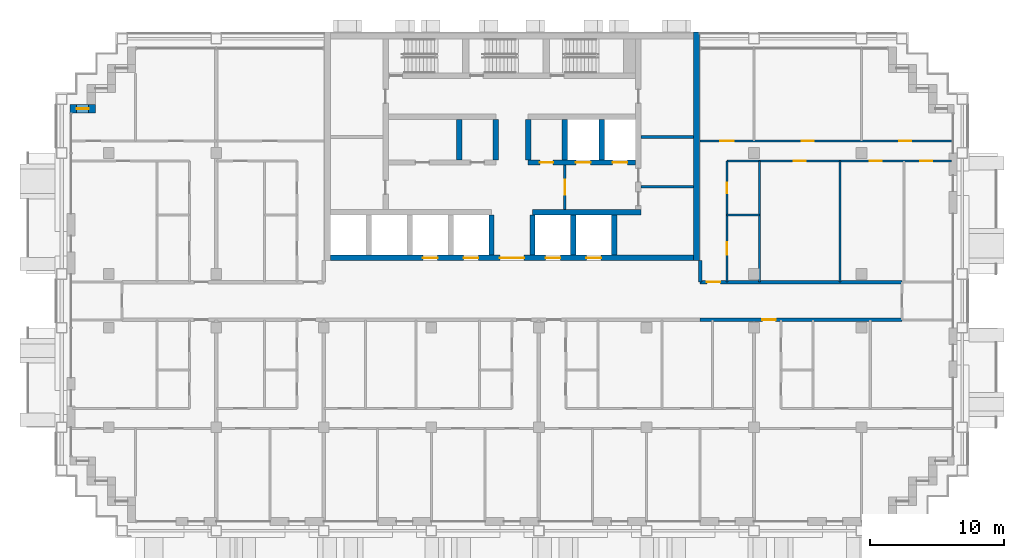
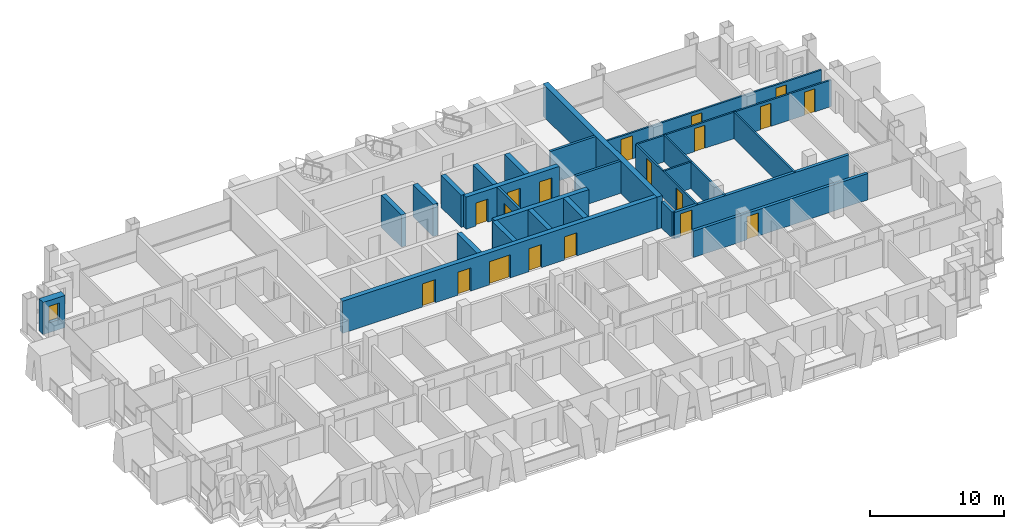
# One storey, part 11 of 18: 26 walls, 19 doors, 1 window, 20 openings.
"""IFC4 building model written with IfcOpenShell, lengths in metres."""

from ifc_helpers import new_model, si_unit, direction, frame, frame_2d, origin, place, context, subcontext, project, spatial, rectangle, extrude, material, layer, layer_set, type_object, element, fill, save


model = new_model("IFC4")

# Units and contexts
model_context = context("Model", 3, precision=1e-05, world=origin(), true_north=direction((0.0, 1.0)))
body_context = subcontext(model_context, "Body", "Model", "MODEL_VIEW")
ifc_project = project(units=[si_unit("LENGTHUNIT", "METRE"), si_unit("AREAUNIT", "SQUARE_METRE"), si_unit("VOLUMEUNIT", "CUBIC_METRE"), si_unit("PLANEANGLEUNIT", "RADIAN"), si_unit("MASSUNIT", "GRAM", prefix="KILO")], contexts=[model_context])

# Site, building, storey
site_placement = place(None, origin())
site = spatial("IfcSite", under=ifc_project, at=site_placement, CompositionType="ELEMENT")
building_placement = place(site_placement, origin())
building = spatial("IfcBuilding", under=site, at=building_placement, Name="Vidyagriha Tower", CompositionType="ELEMENT")
storey_placement = place(building_placement, frame((0.0, 0.0, 126.199951171875)))
storey = spatial("IfcBuildingStorey", under=building, at=storey_placement, Name="L32", CompositionType="ELEMENT", Elevation=126.199951171875)

# Wall, opening, window
ifc_material_1 = material(Name="Precast concrete C40/50 with brick facing", Category="concrete")
ifc_layer_1 = layer(ifc_material_1, 0.60009765625)
ifc_layer_set_1 = layer_set([ifc_layer_1], Name="Precast concrete C40/50 with brick facing")
wall_type_1 = type_object("IfcWallType", Name="Brick-faced precast wall 600", PredefinedType="STANDARD", material=ifc_layer_set_1)
wall_1_placement = place(storey_placement, frame((-31.0, 14.300048828125, 0.0), z_axis=(0.0, 0.0, 1.0), x_axis=(-1.0, 0.0, 0.0)))
wall_1 = element("IfcWall", 1, at=wall_1_placement, inside=storey, type_object=wall_type_1, Name="Stepped corner wall L32 R15", PredefinedType="STANDARD", context=body_context, shape_type="SweptSolid", body=[
    extrude(rectangle(XDim=1.8798828125, YDim=0.60009765625, at=frame_2d((0.93994140625, 0.0))), origin(), (0.0, 0.0, 1.0), 2.920166015625),
])
opening_1_placement = place(wall_1_placement, frame((0.489990234375, 0.0, 0.89990234375)))
opening_1 = element("IfcOpeningElement", 2, at=opening_1_placement, cuts=wall_1, Name="Opening WN1", PredefinedType="OPENING", context=body_context, shape_type="SweptSolid", body=[
    extrude(rectangle(XDim=0.89990234375, YDim=1.5, at=frame_2d((0.449951171875, 0.75))), frame((0.0, 0.31005859375, 0.0), z_axis=(0.0, -1.0, 0.0), x_axis=(1.0, 0.0, 0.0)), (0.0, 0.0, 1.0), 0.6201171875),
])
ifc_material_2 = material(Name="Aluminium and glass window", Category="aluminium")
window_type = type_object("IfcWindowType", Name="Reveal window 900x1500", PartitioningType="NOTDEFINED", PredefinedType="WINDOW", material=ifc_material_2)
window_placement = place(opening_1_placement, origin())
window = element("IfcWindow", 3, at=window_placement, inside=storey, type_object=window_type, Name="Reveal window L32 R15", OverallHeight=1.5, OverallWidth=0.89990234375, PartitioningType="SINGLE_PANEL", PredefinedType="WINDOW", context=body_context, shape_type="SweptSolid", body=[
    extrude(rectangle(XDim=0.89990234375, YDim=1.5, at=frame_2d((0.449951171875, 0.75))), frame((0.0, 0.030029296875, 0.0), z_axis=(0.0, -1.0, 0.0), x_axis=(1.0, 0.0, 0.0)), (0.0, 0.0, 1.0), 0.06005859375),
])
fill(opening_1, window)

# Wall, openings, doors
ifc_material_3 = material(Name="Concrete C60/75", Category="concrete")
ifc_layer_2 = layer(ifc_material_3, 0.39990234375)
ifc_layer_set_2 = layer_set([ifc_layer_2], Name="Concrete C60/75")
wall_type_2 = type_object("IfcWallType", Name="Core shear wall 400 mm", PredefinedType="SHEAR", material=ifc_layer_set_2)
wall_2_placement = place(storey_placement, frame((-13.5, 3.199951171875, 0.0)))
wall_2 = element("IfcWall", 4, at=wall_2_placement, inside=storey, type_object=wall_type_2, Name="Core front wall", PredefinedType="SHEAR", context=body_context, shape_type="SweptSolid", body=[
    extrude(rectangle(XDim=27.0, YDim=0.39990234375, at=frame_2d((13.5, 0.0))), origin(), (0.0, 0.0, 1.0), 2.920166015625),
])
opening_2_placement = place(wall_2_placement, frame((6.861083984375, 0.0, 0.0)))
opening_2 = element("IfcOpeningElement", 5, at=opening_2_placement, cuts=wall_2, Name="Opening LD32-01", PredefinedType="OPENING", context=body_context, shape_type="SweptSolid", body=[
    extrude(rectangle(XDim=1.10009765625, YDim=2.10009765625, at=frame_2d((0.550048828125, 1.050048828125))), frame((0.0, 0.2099609375, 0.0), z_axis=(0.0, -1.0, 0.0), x_axis=(1.0, 0.0, 0.0)), (0.0, 0.0, 1.0), 0.419921875),
])
opening_3_placement = place(wall_2_placement, frame((9.905517578125, 0.0, 0.0)))
opening_3 = element("IfcOpeningElement", 6, at=opening_3_placement, cuts=wall_2, Name="Opening LD32-02", PredefinedType="OPENING", context=body_context, shape_type="SweptSolid", body=[
    extrude(rectangle(XDim=1.10009765625, YDim=2.10009765625, at=frame_2d((0.550048828125, 1.050048828125))), frame((0.0, 0.2099609375, 0.0), z_axis=(0.0, -1.0, 0.0), x_axis=(1.0, 0.0, 0.0)), (0.0, 0.0, 1.0), 0.419921875),
])
opening_4_placement = place(wall_2_placement, frame((15.994384765625, 0.0, 0.0)))
opening_4 = element("IfcOpeningElement", 7, at=opening_4_placement, cuts=wall_2, Name="Opening LD32-03", PredefinedType="OPENING", context=body_context, shape_type="SweptSolid", body=[
    extrude(rectangle(XDim=1.10009765625, YDim=2.10009765625, at=frame_2d((0.550048828125, 1.050048828125))), frame((0.0, 0.2099609375, 0.0), z_axis=(0.0, -1.0, 0.0), x_axis=(1.0, 0.0, 0.0)), (0.0, 0.0, 1.0), 0.419921875),
])
opening_5_placement = place(wall_2_placement, frame((19.038818359375, 0.0, 0.0)))
opening_5 = element("IfcOpeningElement", 8, at=opening_5_placement, cuts=wall_2, Name="Opening LD32-04", PredefinedType="OPENING", context=body_context, shape_type="SweptSolid", body=[
    extrude(rectangle(XDim=1.10009765625, YDim=2.10009765625, at=frame_2d((0.550048828125, 1.050048828125))), frame((0.0, 0.2099609375, 0.0), z_axis=(0.0, -1.0, 0.0), x_axis=(1.0, 0.0, 0.0)), (0.0, 0.0, 1.0), 0.419921875),
])
opening_6_placement = place(wall_2_placement, frame((12.60009765625, 0.0, 0.0)))
opening_6 = element("IfcOpeningElement", 9, at=opening_6_placement, cuts=wall_2, Name="Opening D32-01", PredefinedType="OPENING", context=body_context, shape_type="SweptSolid", body=[
    extrude(rectangle(XDim=1.800048828125, YDim=2.10009765625, at=frame_2d((0.89990234375, 1.050048828125))), frame((0.0, 0.2099609375, 0.0), z_axis=(0.0, -1.0, 0.0), x_axis=(1.0, 0.0, 0.0)), (0.0, 0.0, 1.0), 0.419921875),
])
ifc_material_4 = material(Name="Hollow metal door leaf")
door_type_1 = type_object("IfcDoorType", Name="Core lobby double door 1800 x 2100 mm EI 60", OperationType="NOTDEFINED", PredefinedType="DOOR", material=ifc_material_4)
door_1_placement = place(opening_6_placement, frame((1.800048828125, 0.0, 0.0), z_axis=(0.0, 0.0, 1.0), x_axis=(-1.0, 0.0, 0.0)))
door_1 = element("IfcDoor", 10, at=door_1_placement, inside=storey, type_object=door_type_1, Name="Core entrance door L32", OperationType="DOUBLE_DOOR_SINGLE_SWING", OverallHeight=2.10009765625, OverallWidth=1.800048828125, PredefinedType="DOOR", context=body_context, shape_type="SweptSolid", body=[
    extrude(rectangle(XDim=1.800048828125, YDim=2.10009765625, at=frame_2d((0.89990234375, 1.050048828125))), frame((0.0, 0.02490234375, 0.0), z_axis=(0.0, -1.0, 0.0), x_axis=(1.0, 0.0, 0.0)), (0.0, 0.0, 1.0), 0.050048828125),
])
fill(opening_6, door_1)
ifc_material_5 = material(Name="Stainless steel sliding door panel", Category="steel")
door_type_2 = type_object("IfcDoorType", Name="Lift landing door 1100 x 2100 mm EI 90", OperationType="NOTDEFINED", PredefinedType="DOOR", material=ifc_material_5)
door_2_placement = place(opening_2_placement, origin())
door_2 = element("IfcDoor", 11, at=door_2_placement, inside=storey, type_object=door_type_2, Name="Landing door LR1 L32", OperationType="SLIDING_TO_LEFT", OverallHeight=2.10009765625, OverallWidth=1.10009765625, PredefinedType="DOOR", context=body_context, shape_type="SweptSolid", body=[
    extrude(rectangle(XDim=1.10009765625, YDim=2.10009765625, at=frame_2d((0.550048828125, 1.050048828125))), frame((0.0, 0.02490234375, 0.0), z_axis=(0.0, -1.0, 0.0), x_axis=(1.0, 0.0, 0.0)), (0.0, 0.0, 1.0), 0.050048828125),
])
fill(opening_2, door_2)
door_3_placement = place(opening_3_placement, origin())
door_3 = element("IfcDoor", 12, at=door_3_placement, inside=storey, type_object=door_type_2, Name="Landing door LR2 L32", OperationType="SLIDING_TO_LEFT", OverallHeight=2.10009765625, OverallWidth=1.10009765625, PredefinedType="DOOR", context=body_context, shape_type="SweptSolid", body=[
    extrude(rectangle(XDim=1.10009765625, YDim=2.10009765625, at=frame_2d((0.550048828125, 1.050048828125))), frame((0.0, 0.02490234375, 0.0), z_axis=(0.0, -1.0, 0.0), x_axis=(1.0, 0.0, 0.0)), (0.0, 0.0, 1.0), 0.050048828125),
])
fill(opening_3, door_3)
door_4_placement = place(opening_4_placement, origin())
door_4 = element("IfcDoor", 13, at=door_4_placement, inside=storey, type_object=door_type_2, Name="Landing door LR3 L32", OperationType="SLIDING_TO_LEFT", OverallHeight=2.10009765625, OverallWidth=1.10009765625, PredefinedType="DOOR", context=body_context, shape_type="SweptSolid", body=[
    extrude(rectangle(XDim=1.10009765625, YDim=2.10009765625, at=frame_2d((0.550048828125, 1.050048828125))), frame((0.0, 0.02490234375, 0.0), z_axis=(0.0, -1.0, 0.0), x_axis=(1.0, 0.0, 0.0)), (0.0, 0.0, 1.0), 0.050048828125),
])
fill(opening_4, door_4)
door_5_placement = place(opening_5_placement, origin())
door_5 = element("IfcDoor", 14, at=door_5_placement, inside=storey, type_object=door_type_2, Name="Landing door LR4 L32", OperationType="SLIDING_TO_LEFT", OverallHeight=2.10009765625, OverallWidth=1.10009765625, PredefinedType="DOOR", context=body_context, shape_type="SweptSolid", body=[
    extrude(rectangle(XDim=1.10009765625, YDim=2.10009765625, at=frame_2d((0.550048828125, 1.050048828125))), frame((0.0, 0.02490234375, 0.0), z_axis=(0.0, -1.0, 0.0), x_axis=(1.0, 0.0, 0.0)), (0.0, 0.0, 1.0), 0.050048828125),
])
fill(opening_5, door_5)

# Walls
wall_3_placement = place(storey_placement, frame((1.522216796875, 6.60009765625, 0.0)))
element("IfcWall", 15, at=wall_3_placement, inside=storey, type_object=wall_type_2, Name="Core lobby south wall east", PredefinedType="SHEAR", context=body_context, shape_type="SweptSolid", body=[
    extrude(rectangle(XDim=8.077880859375, YDim=0.39990234375, at=frame_2d((4.0390625, 0.0))), origin(), (0.0, 0.0, 1.0), 2.920166015625),
])
for number, where, z_axis, x_axis, name in (
    (16, (-1.522216796875, 3.39990234375, 0.0), (0.0, 0.0, 1.0), (0.0, 1.0, 0.0), "Core bay wall S4"),
    (17, (1.522216796875, 3.39990234375, 0.0), (0.0, 0.0, 1.0), (0.0, 1.0, 0.0), "Core bay wall S5"),
    (18, (4.566650390625, 3.39990234375, 0.0), (0.0, 0.0, 1.0), (0.0, 1.0, 0.0), "Core bay wall S6"),
    (19, (7.611083984375, 3.39990234375, 0.0), (0.0, 0.0, 1.0), (0.0, 1.0, 0.0), "Core bay wall S7"),
):
    element("IfcWall", number, at=place(storey_placement, frame(where, z_axis=z_axis, x_axis=x_axis)), inside=storey, type_object=wall_type_2, Name=name, PredefinedType="SHEAR", context=body_context, shape_type="SweptSolid", body=[
        extrude(rectangle(XDim=3.0, YDim=0.39990234375, at=frame_2d((1.5, 0.0))), origin(), (0.0, 0.0, 1.0), 2.920166015625),
    ])

# Wall, openings, doors
wall_4_placement = place(storey_placement, frame((1.199951171875, 10.300048828125, 0.0)))
wall_4 = element("IfcWall", 20, at=wall_4_placement, inside=storey, type_object=wall_type_2, Name="Core row N front wall", PredefinedType="SHEAR", context=body_context, shape_type="SweptSolid", body=[
    extrude(rectangle(XDim=8.0, YDim=0.39990234375, at=frame_2d((4.0, 0.0))), origin(), (0.0, 0.0, 1.0), 2.920166015625),
])
opening_7_placement = place(wall_4_placement, frame((3.550048828125, 0.0, 0.0)))
opening_7 = element("IfcOpeningElement", 21, at=opening_7_placement, cuts=wall_4, Name="Opening LD32-05", PredefinedType="OPENING", context=body_context, shape_type="SweptSolid", body=[
    extrude(rectangle(XDim=1.10009765625, YDim=2.10009765625, at=frame_2d((0.550048828125, 1.050048828125))), frame((0.0, 0.2099609375, 0.0), z_axis=(0.0, -1.0, 0.0), x_axis=(1.0, 0.0, 0.0)), (0.0, 0.0, 1.0), 0.419921875),
])
opening_8_placement = place(wall_4_placement, frame((6.283203125, 0.0, 0.0)))
opening_8 = element("IfcOpeningElement", 22, at=opening_8_placement, cuts=wall_4, Name="Opening LD32-06", PredefinedType="OPENING", context=body_context, shape_type="SweptSolid", body=[
    extrude(rectangle(XDim=1.10009765625, YDim=2.10009765625, at=frame_2d((0.550048828125, 1.050048828125))), frame((0.0, 0.2099609375, 0.0), z_axis=(0.0, -1.0, 0.0), x_axis=(1.0, 0.0, 0.0)), (0.0, 0.0, 1.0), 0.419921875),
])
opening_9_placement = place(wall_4_placement, frame((0.86669921875, 0.0, 0.0)))
opening_9 = element("IfcOpeningElement", 23, at=opening_9_placement, cuts=wall_4, Name="Opening D32-04", PredefinedType="OPENING", context=body_context, shape_type="SweptSolid", body=[
    extrude(rectangle(XDim=1.0, YDim=2.10009765625, at=frame_2d((0.5, 1.050048828125))), frame((0.0, 0.2099609375, 0.0), z_axis=(0.0, -1.0, 0.0), x_axis=(1.0, 0.0, 0.0)), (0.0, 0.0, 1.0), 0.419921875),
])
ifc_material_6 = material(Name="Hollow metal door leaf")
door_type_3 = type_object("IfcDoorType", Name="Core room door 1000 x 2100 mm EI 60", OperationType="NOTDEFINED", PredefinedType="DOOR", material=ifc_material_6)
door_6_placement = place(opening_9_placement, frame((1.0, 0.0, 0.0), z_axis=(0.0, 0.0, 1.0), x_axis=(-1.0, 0.0, 0.0)))
door_6 = element("IfcDoor", 24, at=door_6_placement, inside=storey, type_object=door_type_3, Name="Door Storage Room 32.16", OperationType="SINGLE_SWING_LEFT", OverallHeight=2.10009765625, OverallWidth=1.0, PredefinedType="DOOR", context=body_context, shape_type="SweptSolid", body=[
    extrude(rectangle(XDim=1.0, YDim=2.10009765625, at=frame_2d((0.5, 1.050048828125))), frame((0.0, 0.02490234375, 0.0), z_axis=(0.0, -1.0, 0.0), x_axis=(1.0, 0.0, 0.0)), (0.0, 0.0, 1.0), 0.050048828125),
])
fill(opening_9, door_6)
door_7_placement = place(opening_7_placement, origin())
door_7 = element("IfcDoor", 25, at=door_7_placement, inside=storey, type_object=door_type_2, Name="Landing door FF1 L32", OperationType="SLIDING_TO_LEFT", OverallHeight=2.10009765625, OverallWidth=1.10009765625, PredefinedType="DOOR", context=body_context, shape_type="SweptSolid", body=[
    extrude(rectangle(XDim=1.10009765625, YDim=2.10009765625, at=frame_2d((0.550048828125, 1.050048828125))), frame((0.0, 0.02490234375, 0.0), z_axis=(0.0, -1.0, 0.0), x_axis=(1.0, 0.0, 0.0)), (0.0, 0.0, 1.0), 0.050048828125),
])
fill(opening_7, door_7)
door_8_placement = place(opening_8_placement, origin())
door_8 = element("IfcDoor", 26, at=door_8_placement, inside=storey, type_object=door_type_2, Name="Landing door FF2 L32", OperationType="SLIDING_TO_LEFT", OverallHeight=2.10009765625, OverallWidth=1.10009765625, PredefinedType="DOOR", context=body_context, shape_type="SweptSolid", body=[
    extrude(rectangle(XDim=1.10009765625, YDim=2.10009765625, at=frame_2d((0.550048828125, 1.050048828125))), frame((0.0, 0.02490234375, 0.0), z_axis=(0.0, -1.0, 0.0), x_axis=(1.0, 0.0, 0.0)), (0.0, 0.0, 1.0), 0.050048828125),
])
fill(opening_8, door_8)

# Walls
for number, where, z_axis, x_axis, name in (
    (27, (-3.933349609375, 10.5, 0.0), (0.0, 0.0, 1.0), (0.0, 1.0, 0.0), "Core bay wall N2"),
    (28, (-1.199951171875, 10.5, 0.0), (0.0, 0.0, 1.0), (0.0, 1.0, 0.0), "Core bay wall N3"),
    (29, (1.199951171875, 10.5, 0.0), (0.0, 0.0, 1.0), (0.0, 1.0, 0.0), "Core bay wall N4"),
    (30, (3.933349609375, 10.5, 0.0), (0.0, 0.0, 1.0), (0.0, 1.0, 0.0), "Core bay wall N5"),
    (31, (6.666748046875, 10.5, 0.0), (0.0, 0.0, 1.0), (0.0, 1.0, 0.0), "Core bay wall N6"),
):
    element("IfcWall", number, at=place(storey_placement, frame(where, z_axis=z_axis, x_axis=x_axis)), inside=storey, type_object=wall_type_2, Name=name, PredefinedType="SHEAR", context=body_context, shape_type="SweptSolid", body=[
        extrude(rectangle(XDim=3.0, YDim=0.39990234375, at=frame_2d((1.5, 0.0))), origin(), (0.0, 0.0, 1.0), 2.920166015625),
    ])
ifc_material_7 = material(Name="Concrete C60/75", Category="concrete")
ifc_layer_3 = layer(ifc_material_7, 0.449951171875)
ifc_layer_set_3 = layer_set([ifc_layer_3], Name="Concrete C60/75")
wall_type_3 = type_object("IfcWallType", Name="Core shear wall 450 mm", PredefinedType="SHEAR", material=ifc_layer_set_3)
wall_5_placement = place(storey_placement, frame((13.72509765625, 3.0, 0.0), z_axis=(0.0, 0.0, 1.0), x_axis=(0.0, 1.0, 0.0)))
element("IfcWall", 32, at=wall_5_placement, inside=storey, type_object=wall_type_3, Name="Core east wall", PredefinedType="SHEAR", context=body_context, shape_type="SweptSolid", body=[
    extrude(rectangle(XDim=17.0, YDim=0.449951171875, at=frame_2d((8.5, 0.0))), origin(), (0.0, 0.0, 1.0), 2.920166015625),
])

# Wall, opening, door
ifc_material_8 = material(Name="Fired clay brick masonry", Category="masonry")
ifc_layer_4 = layer(ifc_material_8, 0.25)
ifc_layer_set_4 = layer_set([ifc_layer_4], Name="Fired clay brick masonry")
wall_type_4 = type_object("IfcWallType", Name="Fired clay brick corridor wall 250", PredefinedType="PARTITIONING", material=ifc_layer_set_4)
wall_6_placement = place(storey_placement, frame((29.0, -1.39990234375, 0.0), z_axis=(0.0, 0.0, 1.0), x_axis=(-1.0, 0.0, 0.0)))
wall_6 = element("IfcWall", 33, at=wall_6_placement, inside=storey, type_object=wall_type_4, Name="Wall all-L32-w085", PredefinedType="PARTITIONING", context=body_context, shape_type="SweptSolid", body=[
    extrude(rectangle(XDim=15.0, YDim=0.25, at=frame_2d((7.5, 0.0))), origin(), (0.0, 0.0, 1.0), 2.400146484375),
])
opening_10_placement = place(wall_6_placement, frame((9.382080078125, 0.0, 0.0)))
opening_10 = element("IfcOpeningElement", 34, at=opening_10_placement, cuts=wall_6, Name="Opening D32-52", PredefinedType="OPENING", context=body_context, shape_type="SweptSolid", body=[
    extrude(rectangle(XDim=1.0, YDim=2.10009765625, at=frame_2d((0.5, 1.050048828125))), frame((0.0, 0.135009765625, 0.0), z_axis=(0.0, -1.0, 0.0), x_axis=(1.0, 0.0, 0.0)), (0.0, 0.0, 1.0), 0.27001953125),
])
ifc_material_9 = material(Name="Fire-rated timber door leaf EI 60", Category="wood")
door_type_4 = type_object("IfcDoorType", Name="Flat entrance fire door 1000x2100", OperationType="NOTDEFINED", PredefinedType="DOOR", material=ifc_material_9)
door_9_placement = place(opening_10_placement, origin())
door_9 = element("IfcDoor", 35, at=door_9_placement, inside=storey, type_object=door_type_4, Name="Door D32-52", OperationType="SINGLE_SWING_RIGHT", OverallHeight=2.10009765625, OverallWidth=1.0, PredefinedType="DOOR", context=body_context, shape_type="SweptSolid", body=[
    extrude(rectangle(XDim=1.0, YDim=2.10009765625, at=frame_2d((0.5, 1.050048828125))), frame((0.0, 0.02490234375, 0.0), z_axis=(0.0, -1.0, 0.0), x_axis=(1.0, 0.0, 0.0)), (0.0, 0.0, 1.0), 0.050048828125),
])
fill(opening_10, door_9)

wall_7_placement = place(storey_placement, frame((14.0, 1.39990234375, 0.0)))
wall_7 = element("IfcWall", 36, at=wall_7_placement, inside=storey, type_object=wall_type_4, Name="Wall all-L32-w130", PredefinedType="PARTITIONING", context=body_context, shape_type="SweptSolid", body=[
    extrude(rectangle(XDim=15.0, YDim=0.25, at=frame_2d((7.5, 0.0))), origin(), (0.0, 0.0, 1.0), 2.400146484375),
])
opening_11_placement = place(wall_7_placement, frame((0.5, 0.0, 0.0)))
opening_11 = element("IfcOpeningElement", 37, at=opening_11_placement, cuts=wall_7, Name="Opening D32-72", PredefinedType="OPENING", context=body_context, shape_type="SweptSolid", body=[
    extrude(rectangle(XDim=1.0, YDim=2.10009765625, at=frame_2d((0.5, 1.050048828125))), frame((0.0, 0.135009765625, 0.0), z_axis=(0.0, -1.0, 0.0), x_axis=(1.0, 0.0, 0.0)), (0.0, 0.0, 1.0), 0.27001953125),
])
door_10_placement = place(opening_11_placement, origin())
door_10 = element("IfcDoor", 38, at=door_10_placement, inside=storey, type_object=door_type_4, Name="Door D32-72", OperationType="SINGLE_SWING_LEFT", OverallHeight=2.10009765625, OverallWidth=1.0, PredefinedType="DOOR", context=body_context, shape_type="SweptSolid", body=[
    extrude(rectangle(XDim=1.0, YDim=2.10009765625, at=frame_2d((0.5, 1.050048828125))), frame((0.0, 0.02490234375, 0.0), z_axis=(0.0, -1.0, 0.0), x_axis=(1.0, 0.0, 0.0)), (0.0, 0.0, 1.0), 0.050048828125),
])
fill(opening_11, door_10)

# Walls
wall_8_placement = place(storey_placement, frame((14.0, 1.39990234375, 0.0), z_axis=(0.0, 0.0, 1.0), x_axis=(0.0, 1.0, 0.0)))
element("IfcWall", 39, at=wall_8_placement, inside=storey, type_object=wall_type_4, Name="Wall all-L32-w138", PredefinedType="PARTITIONING", context=body_context, shape_type="SweptSolid", body=[
    extrude(rectangle(XDim=1.60009765625, YDim=0.25, at=frame_2d((0.800048828125, 0.0))), origin(), (0.0, 0.0, 1.0), 2.400146484375),
])
ifc_material_10 = material(Name="Gypsum board partition")
ifc_layer_5 = layer(ifc_material_10, 0.14990234375)
ifc_layer_set_5 = layer_set([ifc_layer_5], Name="Gypsum board partition")
wall_type_5 = type_object("IfcWallType", Name="Gypsum board partition 150", PredefinedType="PARTITIONING", material=ifc_layer_set_5)
wall_9_placement = place(storey_placement, frame((16.0, 6.39990234375, 0.0)))
element("IfcWall", 40, at=wall_9_placement, inside=storey, type_object=wall_type_5, Name="Wall all-L32-w115", PredefinedType="PARTITIONING", context=body_context, shape_type="SweptSolid", body=[
    extrude(rectangle(XDim=2.39990234375, YDim=0.14990234375, at=frame_2d((1.199951171875, 0.0))), origin(), (0.0, 0.0, 1.0), 2.400146484375),
])
for number, where, z_axis, x_axis, name in (
    (41, (18.39990234375, 10.39990234375, 0.0), (0.0, 0.0, 1.0), (0.0, -1.0, 0.0), "Wall all-L32-w116"),
    (42, (24.39990234375, 10.39990234375, 0.0), (0.0, 0.0, 1.0), (0.0, -1.0, 0.0), "Wall all-L32-w117"),
):
    element("IfcWall", number, at=place(storey_placement, frame(where, z_axis=z_axis, x_axis=x_axis)), inside=storey, type_object=wall_type_5, Name=name, PredefinedType="PARTITIONING", context=body_context, shape_type="SweptSolid", body=[
        extrude(rectangle(XDim=9.0, YDim=0.14990234375, at=frame_2d((4.5, 0.0))), origin(), (0.0, 0.0, 1.0), 2.400146484375),
    ])

# Wall, openings, doors
wall_10_placement = place(storey_placement, frame((32.7099609375, 10.39990234375, 0.0), z_axis=(0.0, 0.0, 1.0), x_axis=(-1.0, 0.0, 0.0)))
wall_10 = element("IfcWall", 43, at=wall_10_placement, inside=storey, type_object=wall_type_5, Name="Wall all-L32-w119", PredefinedType="PARTITIONING", context=body_context, shape_type="SweptSolid", body=[
    extrude(rectangle(XDim=16.7099609375, YDim=0.14990234375, at=frame_2d((8.35498046875, 0.0))), origin(), (0.0, 0.0, 1.0), 2.400146484375),
])
opening_12_placement = place(wall_10_placement, frame((10.860107421875, 0.0, 0.0)))
opening_12 = element("IfcOpeningElement", 44, at=opening_12_placement, cuts=wall_10, Name="Opening D32-66", PredefinedType="OPENING", context=body_context, shape_type="SweptSolid", body=[
    extrude(rectangle(XDim=0.89990234375, YDim=2.10009765625, at=frame_2d((0.449951171875, 1.050048828125))), frame((0.0, 0.0849609375, 0.0), z_axis=(0.0, -1.0, 0.0), x_axis=(1.0, 0.0, 0.0)), (0.0, 0.0, 1.0), 0.169921875),
])
opening_13_placement = place(wall_10_placement, frame((5.19189453125, 0.0, 0.0)))
opening_13 = element("IfcOpeningElement", 45, at=opening_13_placement, cuts=wall_10, Name="Opening D32-67", PredefinedType="OPENING", context=body_context, shape_type="SweptSolid", body=[
    extrude(rectangle(XDim=0.89990234375, YDim=2.10009765625, at=frame_2d((0.449951171875, 1.050048828125))), frame((0.0, 0.0849609375, 0.0), z_axis=(0.0, -1.0, 0.0), x_axis=(1.0, 0.0, 0.0)), (0.0, 0.0, 1.0), 0.169921875),
])
opening_14_placement = place(wall_10_placement, frame((1.43505859375, 0.0, 0.0)))
opening_14 = element("IfcOpeningElement", 46, at=opening_14_placement, cuts=wall_10, Name="Opening D32-68", PredefinedType="OPENING", context=body_context, shape_type="SweptSolid", body=[
    extrude(rectangle(XDim=0.89990234375, YDim=2.10009765625, at=frame_2d((0.449951171875, 1.050048828125))), frame((0.0, 0.0849609375, 0.0), z_axis=(0.0, -1.0, 0.0), x_axis=(1.0, 0.0, 0.0)), (0.0, 0.0, 1.0), 0.169921875),
])
ifc_material_11 = material(Name="Timber door leaf", Category="wood")
door_type_5 = type_object("IfcDoorType", Name="Room door 900x2100", OperationType="NOTDEFINED", PredefinedType="DOOR", material=ifc_material_11)
door_11_placement = place(opening_12_placement, origin())
door_11 = element("IfcDoor", 47, at=door_11_placement, inside=storey, type_object=door_type_5, Name="Door D32-66", OperationType="SINGLE_SWING_RIGHT", OverallHeight=2.10009765625, OverallWidth=0.89990234375, PredefinedType="DOOR", context=body_context, shape_type="SweptSolid", body=[
    extrude(rectangle(XDim=0.89990234375, YDim=2.10009765625, at=frame_2d((0.449951171875, 1.050048828125))), frame((0.0, 0.02490234375, 0.0), z_axis=(0.0, -1.0, 0.0), x_axis=(1.0, 0.0, 0.0)), (0.0, 0.0, 1.0), 0.050048828125),
])
fill(opening_12, door_11)
door_12_placement = place(opening_13_placement, origin())
door_12 = element("IfcDoor", 48, at=door_12_placement, inside=storey, type_object=door_type_5, Name="Door D32-67", OperationType="SINGLE_SWING_LEFT", OverallHeight=2.10009765625, OverallWidth=0.89990234375, PredefinedType="DOOR", context=body_context, shape_type="SweptSolid", body=[
    extrude(rectangle(XDim=0.89990234375, YDim=2.10009765625, at=frame_2d((0.449951171875, 1.050048828125))), frame((0.0, 0.02490234375, 0.0), z_axis=(0.0, -1.0, 0.0), x_axis=(1.0, 0.0, 0.0)), (0.0, 0.0, 1.0), 0.050048828125),
])
fill(opening_13, door_12)
door_13_placement = place(opening_14_placement, origin())
door_13 = element("IfcDoor", 49, at=door_13_placement, inside=storey, type_object=door_type_5, Name="Door D32-68", OperationType="SINGLE_SWING_RIGHT", OverallHeight=2.10009765625, OverallWidth=0.89990234375, PredefinedType="DOOR", context=body_context, shape_type="SweptSolid", body=[
    extrude(rectangle(XDim=0.89990234375, YDim=2.10009765625, at=frame_2d((0.449951171875, 1.050048828125))), frame((0.0, 0.02490234375, 0.0), z_axis=(0.0, -1.0, 0.0), x_axis=(1.0, 0.0, 0.0)), (0.0, 0.0, 1.0), 0.050048828125),
])
fill(opening_14, door_13)

wall_11_placement = place(storey_placement, frame((14.0, 11.89990234375, 0.0)))
wall_11 = element("IfcWall", 50, at=wall_11_placement, inside=storey, type_object=wall_type_5, Name="Wall all-L32-w123", PredefinedType="PARTITIONING", context=body_context, shape_type="SweptSolid", body=[
    extrude(rectangle(XDim=18.719970703125, YDim=0.14990234375, at=frame_2d((9.35986328125, 0.0))), origin(), (0.0, 0.0, 1.0), 2.400146484375),
])
opening_15_placement = place(wall_11_placement, frame((1.5, 0.0, 0.0)))
opening_15 = element("IfcOpeningElement", 51, at=opening_15_placement, cuts=wall_11, Name="Opening D32-69", PredefinedType="OPENING", context=body_context, shape_type="SweptSolid", body=[
    extrude(rectangle(XDim=1.0, YDim=2.10009765625, at=frame_2d((0.5, 1.050048828125))), frame((0.0, 0.0849609375, 0.0), z_axis=(0.0, -1.0, 0.0), x_axis=(1.0, 0.0, 0.0)), (0.0, 0.0, 1.0), 0.169921875),
])
opening_16_placement = place(wall_11_placement, frame((7.550048828125, 0.0, 0.0)))
opening_16 = element("IfcOpeningElement", 52, at=opening_16_placement, cuts=wall_11, Name="Opening D32-70", PredefinedType="OPENING", context=body_context, shape_type="SweptSolid", body=[
    extrude(rectangle(XDim=0.89990234375, YDim=2.10009765625, at=frame_2d((0.449951171875, 1.050048828125))), frame((0.0, 0.0849609375, 0.0), z_axis=(0.0, -1.0, 0.0), x_axis=(1.0, 0.0, 0.0)), (0.0, 0.0, 1.0), 0.169921875),
])
opening_17_placement = place(wall_11_placement, frame((14.800048828125, 0.0, 0.0)))
opening_17 = element("IfcOpeningElement", 53, at=opening_17_placement, cuts=wall_11, Name="Opening D32-71", PredefinedType="OPENING", context=body_context, shape_type="SweptSolid", body=[
    extrude(rectangle(XDim=0.89990234375, YDim=2.10009765625, at=frame_2d((0.449951171875, 1.050048828125))), frame((0.0, 0.0849609375, 0.0), z_axis=(0.0, -1.0, 0.0), x_axis=(1.0, 0.0, 0.0)), (0.0, 0.0, 1.0), 0.169921875),
])
ifc_material_12 = material(Name="Timber door leaf", Category="wood")
door_type_6 = type_object("IfcDoorType", Name="Room door 1000x2100", OperationType="NOTDEFINED", PredefinedType="DOOR", material=ifc_material_12)
door_14_placement = place(opening_15_placement, origin())
door_14 = element("IfcDoor", 54, at=door_14_placement, inside=storey, type_object=door_type_6, Name="Door D32-69", OperationType="SINGLE_SWING_RIGHT", OverallHeight=2.10009765625, OverallWidth=1.0, PredefinedType="DOOR", context=body_context, shape_type="SweptSolid", body=[
    extrude(rectangle(XDim=1.0, YDim=2.10009765625, at=frame_2d((0.5, 1.050048828125))), frame((0.0, 0.02490234375, 0.0), z_axis=(0.0, -1.0, 0.0), x_axis=(1.0, 0.0, 0.0)), (0.0, 0.0, 1.0), 0.050048828125),
])
fill(opening_15, door_14)
door_15_placement = place(opening_16_placement, origin())
door_15 = element("IfcDoor", 55, at=door_15_placement, inside=storey, type_object=door_type_5, Name="Door D32-70", OperationType="SINGLE_SWING_RIGHT", OverallHeight=2.10009765625, OverallWidth=0.89990234375, PredefinedType="DOOR", context=body_context, shape_type="SweptSolid", body=[
    extrude(rectangle(XDim=0.89990234375, YDim=2.10009765625, at=frame_2d((0.449951171875, 1.050048828125))), frame((0.0, 0.02490234375, 0.0), z_axis=(0.0, -1.0, 0.0), x_axis=(1.0, 0.0, 0.0)), (0.0, 0.0, 1.0), 0.050048828125),
])
fill(opening_16, door_15)
door_16_placement = place(opening_17_placement, origin())
door_16 = element("IfcDoor", 56, at=door_16_placement, inside=storey, type_object=door_type_5, Name="Door D32-71", OperationType="SINGLE_SWING_RIGHT", OverallHeight=2.10009765625, OverallWidth=0.89990234375, PredefinedType="DOOR", context=body_context, shape_type="SweptSolid", body=[
    extrude(rectangle(XDim=0.89990234375, YDim=2.10009765625, at=frame_2d((0.449951171875, 1.050048828125))), frame((0.0, 0.02490234375, 0.0), z_axis=(0.0, -1.0, 0.0), x_axis=(1.0, 0.0, 0.0)), (0.0, 0.0, 1.0), 0.050048828125),
])
fill(opening_17, door_16)

ifc_material_13 = material(Name="Moisture resistant gypsum board partition")
ifc_layer_6 = layer(ifc_material_13, 0.14990234375)
ifc_layer_set_6 = layer_set([ifc_layer_6], Name="Moisture resistant gypsum board partition")
wall_type_6 = type_object("IfcWallType", Name="Gypsum board wet-area partition 150", PredefinedType="PARTITIONING", material=ifc_layer_set_6)
wall_12_placement = place(storey_placement, frame((16.0, 10.39990234375, 0.0), z_axis=(0.0, 0.0, 1.0), x_axis=(0.0, -1.0, 0.0)))
wall_12 = element("IfcWall", 57, at=wall_12_placement, inside=storey, type_object=wall_type_6, Name="Wall all-L32-w112", PredefinedType="PARTITIONING", context=body_context, shape_type="SweptSolid", body=[
    extrude(rectangle(XDim=9.0, YDim=0.14990234375, at=frame_2d((4.5, 0.0))), origin(), (0.0, 0.0, 1.0), 2.400146484375),
])
opening_18_placement = place(wall_12_placement, frame((6.050048828125, 0.0, 0.0)))
opening_18 = element("IfcOpeningElement", 58, at=opening_18_placement, cuts=wall_12, Name="Opening D32-64", PredefinedType="OPENING", context=body_context, shape_type="SweptSolid", body=[
    extrude(rectangle(XDim=0.89990234375, YDim=2.10009765625, at=frame_2d((0.449951171875, 1.050048828125))), frame((0.0, 0.0849609375, 0.0), z_axis=(0.0, -1.0, 0.0), x_axis=(1.0, 0.0, 0.0)), (0.0, 0.0, 1.0), 0.169921875),
])
opening_19_placement = place(wall_12_placement, frame((1.60009765625, 0.0, 0.0)))
opening_19 = element("IfcOpeningElement", 59, at=opening_19_placement, cuts=wall_12, Name="Opening D32-65", PredefinedType="OPENING", context=body_context, shape_type="SweptSolid", body=[
    extrude(rectangle(XDim=0.800048828125, YDim=2.10009765625, at=frame_2d((0.39990234375, 1.050048828125))), frame((0.0, 0.0849609375, 0.0), z_axis=(0.0, -1.0, 0.0), x_axis=(1.0, 0.0, 0.0)), (0.0, 0.0, 1.0), 0.169921875),
])
ifc_material_14 = material(Name="Timber door leaf", Category="wood")
door_type_7 = type_object("IfcDoorType", Name="Bathroom door 800x2100", OperationType="NOTDEFINED", PredefinedType="DOOR", material=ifc_material_14)
door_17_placement = place(opening_19_placement, origin())
door_17 = element("IfcDoor", 60, at=door_17_placement, inside=storey, type_object=door_type_7, Name="Door D32-65", OperationType="SINGLE_SWING_RIGHT", OverallHeight=2.10009765625, OverallWidth=0.800048828125, PredefinedType="DOOR", context=body_context, shape_type="SweptSolid", body=[
    extrude(rectangle(XDim=0.800048828125, YDim=2.10009765625, at=frame_2d((0.39990234375, 1.050048828125))), frame((0.0, 0.02490234375, 0.0), z_axis=(0.0, -1.0, 0.0), x_axis=(1.0, 0.0, 0.0)), (0.0, 0.0, 1.0), 0.050048828125),
])
fill(opening_19, door_17)
ifc_material_15 = material(Name="Timber door leaf", Category="wood")
door_type_8 = type_object("IfcDoorType", Name="Kitchen door 900x2100", OperationType="NOTDEFINED", PredefinedType="DOOR", material=ifc_material_15)
door_18_placement = place(opening_18_placement, origin())
door_18 = element("IfcDoor", 61, at=door_18_placement, inside=storey, type_object=door_type_8, Name="Door D32-64", OperationType="SINGLE_SWING_LEFT", OverallHeight=2.10009765625, OverallWidth=0.89990234375, PredefinedType="DOOR", context=body_context, shape_type="SweptSolid", body=[
    extrude(rectangle(XDim=0.89990234375, YDim=2.10009765625, at=frame_2d((0.449951171875, 1.050048828125))), frame((0.0, 0.02490234375, 0.0), z_axis=(0.0, -1.0, 0.0), x_axis=(1.0, 0.0, 0.0)), (0.0, 0.0, 1.0), 0.050048828125),
])
fill(opening_18, door_18)

# Wall, opening, door
ifc_material_16 = material(Name="Blockwork 15 MPa", Category="masonry")
ifc_layer_7 = layer(ifc_material_16, 0.199951171875)
ifc_layer_set_7 = layer_set([ifc_layer_7], Name="Blockwork 15 MPa")
wall_type_7 = type_object("IfcWallType", Name="Service room partition 200 mm", PredefinedType="PARTITIONING", material=ifc_layer_set_7)
wall_13_placement = place(storey_placement, frame((3.933349609375, 6.800048828125, 0.0), z_axis=(0.0, 0.0, 1.0), x_axis=(0.0, 1.0, 0.0)))
wall_13 = element("IfcWall", 62, at=wall_13_placement, inside=storey, type_object=wall_type_7, Name="Fire-fighting lobby west wall", PredefinedType="PARTITIONING", context=body_context, shape_type="SweptSolid", body=[
    extrude(rectangle(XDim=3.300048828125, YDim=0.199951171875, at=frame_2d((1.64990234375, 0.0))), origin(), (0.0, 0.0, 1.0), 2.920166015625),
])
opening_20_placement = place(wall_13_placement, frame((1.10009765625, 0.0, 0.0)))
opening_20 = element("IfcOpeningElement", 63, at=opening_20_placement, cuts=wall_13, Name="Opening D32-05", PredefinedType="OPENING", context=body_context, shape_type="SweptSolid", body=[
    extrude(rectangle(XDim=1.10009765625, YDim=2.10009765625, at=frame_2d((0.550048828125, 1.050048828125))), frame((0.0, 0.10986328125, 0.0), z_axis=(0.0, -1.0, 0.0), x_axis=(1.0, 0.0, 0.0)), (0.0, 0.0, 1.0), 0.219970703125),
])
ifc_material_17 = material(Name="Hollow metal door leaf")
door_type_9 = type_object("IfcDoorType", Name="Fire-fighting lobby door 1100 x 2100 mm EI 90", OperationType="NOTDEFINED", PredefinedType="DOOR", material=ifc_material_17)
door_19_placement = place(opening_20_placement, origin())
door_19 = element("IfcDoor", 64, at=door_19_placement, inside=storey, type_object=door_type_9, Name="Fire-fighting lobby door L32", OperationType="SINGLE_SWING_RIGHT", OverallHeight=2.10009765625, OverallWidth=1.10009765625, PredefinedType="DOOR", context=body_context, shape_type="SweptSolid", body=[
    extrude(rectangle(XDim=1.10009765625, YDim=2.10009765625, at=frame_2d((0.550048828125, 1.050048828125))), frame((0.0, 0.02490234375, 0.0), z_axis=(0.0, -1.0, 0.0), x_axis=(1.0, 0.0, 0.0)), (0.0, 0.0, 1.0), 0.050048828125),
])
fill(opening_20, door_19)

# Walls
for number, where, name in (
    (65, (9.60009765625, 8.5, 0.0), "Core room partition E1"),
    (66, (9.60009765625, 12.199951171875, 0.0), "Core room partition E2"),
):
    element("IfcWall", number, at=place(storey_placement, frame(where)), inside=storey, type_object=wall_type_7, Name=name, PredefinedType="PARTITIONING", context=body_context, shape_type="SweptSolid", body=[
        extrude(rectangle(XDim=3.89990234375, YDim=0.199951171875, at=frame_2d((1.949951171875, 0.0))), origin(), (0.0, 0.0, 1.0), 2.920166015625),
    ])

save(model, "model.ifc")
